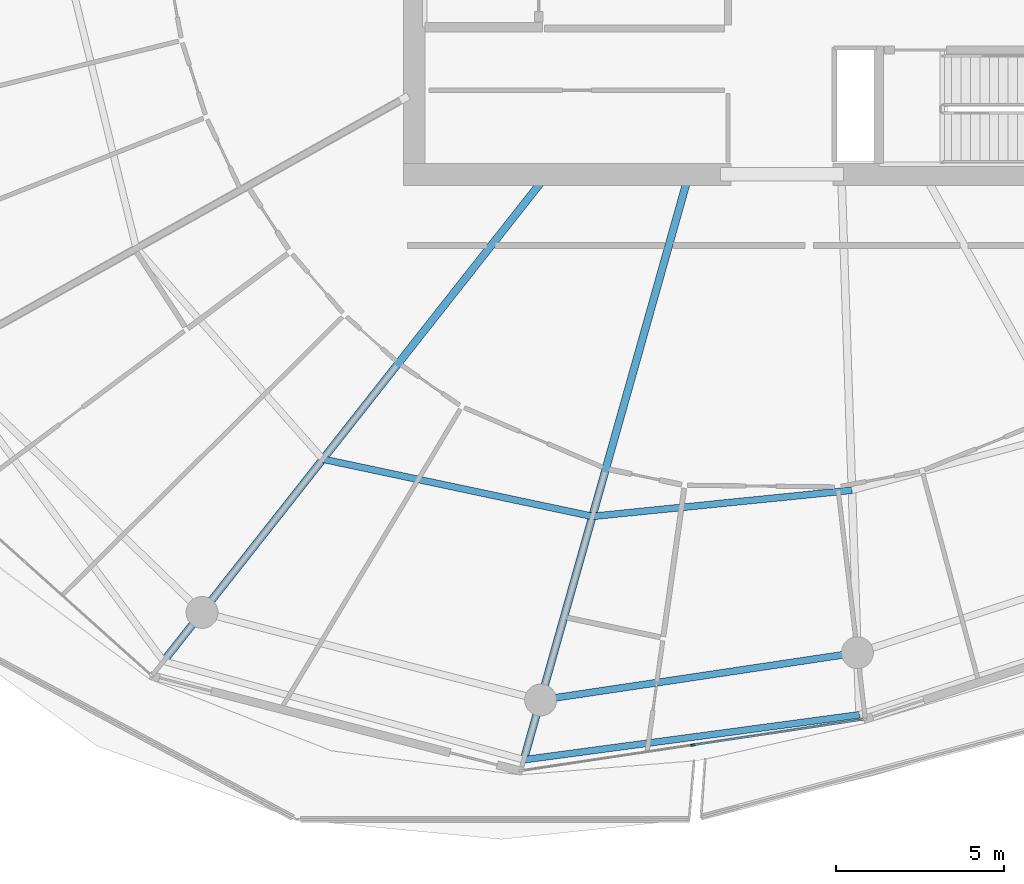
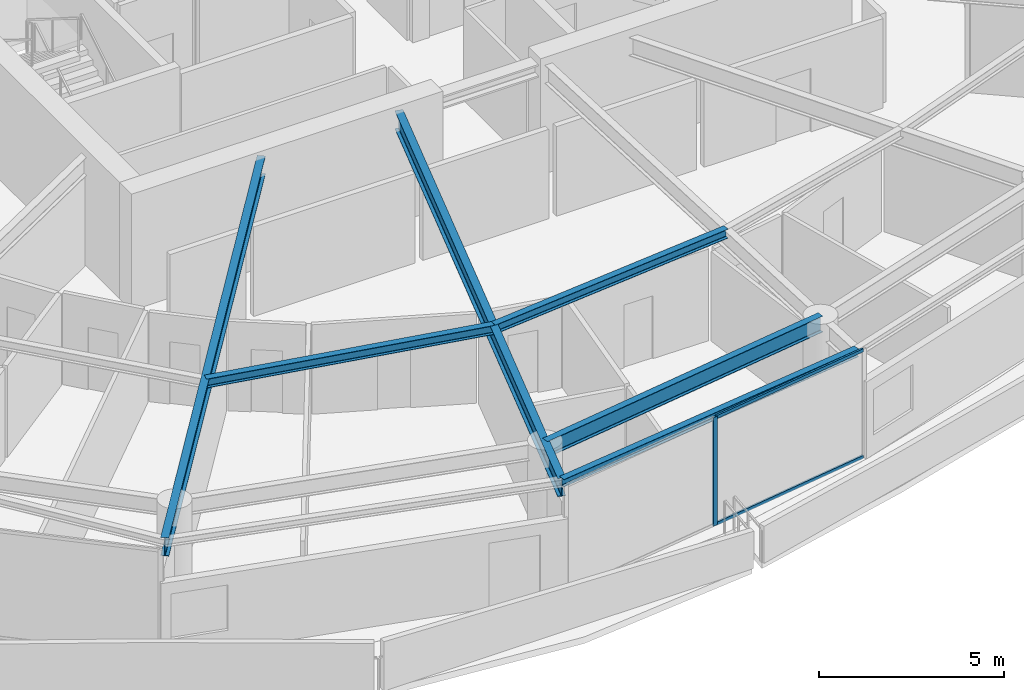
# One storey, part 7 of 31: 6 beams, 3 members, 1 element without a shape of its own.
"""IFC4 building model written with IfcOpenShell, lengths in metres."""

from ifc_helpers import new_model, si_unit, direction, frame, origin, origin_2d, place, context, subcontext, project, spatial, rectangle, i_section, extrude, material, layer, layer_set, material_profile, profile_set, type_object, element, aggregate, save


model = new_model("IFC4")

# Units and contexts
model_context = context("Model", 3, precision=1e-05, world=origin(), true_north=direction((0.0, 1.0)))
body_context = subcontext(model_context, "Body", "Model", "MODEL_VIEW")
ifc_project = project(units=[si_unit("LENGTHUNIT", "METRE"), si_unit("AREAUNIT", "SQUARE_METRE"), si_unit("VOLUMEUNIT", "CUBIC_METRE"), si_unit("PLANEANGLEUNIT", "RADIAN"), si_unit("MASSUNIT", "GRAM", prefix="KILO")], contexts=[model_context])

# Site, building, storey
site_placement = place(None, origin())
site = spatial("IfcSite", under=ifc_project, at=site_placement, CompositionType="ELEMENT")
building_placement = place(site_placement, origin())
building = spatial("IfcBuilding", under=site, at=building_placement, Name="Kazma Halo Residences", CompositionType="ELEMENT")
storey_placement = place(building_placement, frame((0.0, 0.0, 248.25)))
storey = spatial("IfcBuildingStorey", under=building, at=storey_placement, Name="L62", CompositionType="ELEMENT", Elevation=248.25)

# Beams
ifc_material_1 = material(Name="Steel S355", Category="steel")
ifc_material_profile_1 = material_profile(ifc_material_1, i_section(OverallWidth=0.201904296875, OverallDepth=0.2470703125, WebThickness=0.00732421875, FlangeThickness=0.010986328125, FilletRadius=0.011962890625, at=origin_2d()), Name="W250x49.1")
ifc_profile_set_1 = profile_set([ifc_material_profile_1], Name="Steel S355")
beam_type_1 = type_object("IfcBeamType", Name="BM-BAL-CANT", PredefinedType="BEAM", material=ifc_profile_set_1)
beam_1_placement = place(storey_placement, frame((40.73486328125, 16.239990234375, 3.466552734375), z_axis=(0.991137416918, 0.132840584106, 0.0), x_axis=(-0.132840584106, 0.991137416918, 0.0)))
element("IfcBeam", 1, at=beam_1_placement, inside=storey, type_object=beam_type_1, Name="L62 wave-balcony tie beam 11", PredefinedType="BEAM", context=body_context, shape_type="SweptSolid", body=[
    extrude(i_section(OverallWidth=0.201904296875, OverallDepth=0.2470703125, WebThickness=0.00732421875, FlangeThickness=0.010986328125, FilletRadius=0.011962890625, at=origin_2d()), origin(), (0.0, 0.0, 1.0), 10.087890625),
])
ifc_material_profile_2 = material_profile(ifc_material_1, i_section(OverallWidth=0.22802734375, OverallDepth=0.60791015625, WebThickness=0.01123046875, FlangeThickness=0.017333984375, FilletRadius=0.01806640625, at=origin_2d()), Name="W610x113")
ifc_profile_set_2 = profile_set([ifc_material_profile_2], Name="Steel S355")
beam_type_2 = type_object("IfcBeamType", Name="BM-RAD-W610", PredefinedType="BEAM", material=ifc_profile_set_2)
beam_2_placement = place(storey_placement, frame((41.299072265625, 33.5, 3.285888671875), z_axis=(-0.6190864347, -0.785322854863, 0.0), x_axis=(0.785322854863, -0.6190864347, 0.0)))
element("IfcBeam", 2, at=beam_2_placement, inside=storey, type_object=beam_type_2, Name="L62 radial floor beam 10", PredefinedType="BEAM", context=body_context, shape_type="SweptSolid", body=[
    extrude(i_section(OverallWidth=0.22802734375, OverallDepth=0.60791015625, WebThickness=0.01123046875, FlangeThickness=0.017333984375, FilletRadius=0.01806640625, at=origin_2d()), origin(), (0.0, 0.0, 1.0), 18.239013671875),
])
beam_3_placement = place(storey_placement, frame((45.602783203125, 33.5, 3.285888671875), z_axis=(-0.271445290974, -0.962453871107, 0.0), x_axis=(0.962453871107, -0.271445290974, 0.0)))
element("IfcBeam", 3, at=beam_3_placement, inside=storey, type_object=beam_type_2, Name="L62 radial floor beam 11", PredefinedType="BEAM", context=body_context, shape_type="SweptSolid", body=[
    extrude(i_section(OverallWidth=0.22802734375, OverallDepth=0.60791015625, WebThickness=0.01123046875, FlangeThickness=0.017333984375, FilletRadius=0.01806640625, at=origin_2d()), origin(), (0.0, 0.0, 1.0), 17.933349609375),
])
ifc_material_profile_3 = material_profile(ifc_material_1, i_section(OverallWidth=0.202880859375, OverallDepth=0.302978515625, WebThickness=0.007568359375, FlangeThickness=0.01318359375, FilletRadius=0.013916015625, at=origin_2d()), Name="W310x60")
ifc_profile_set_3 = profile_set([ifc_material_profile_3], Name="Steel S355")
beam_type_3 = type_object("IfcBeamType", Name="BM-SEC-W310A", PredefinedType="JOIST", material=ifc_profile_set_3)
beam_4_placement = place(storey_placement, frame((34.75, 25.1923828125, 3.4384765625), z_axis=(0.978235588777, -0.207497308055, 0.0), x_axis=(0.207497308055, 0.978235588777, 0.0)))
element("IfcBeam", 4, at=beam_4_placement, inside=storey, type_object=beam_type_3, Name="L62 circumferential floor joist 10", PredefinedType="JOIST", context=body_context, shape_type="SweptSolid", body=[
    extrude(i_section(OverallWidth=0.202880859375, OverallDepth=0.302978515625, WebThickness=0.007568359375, FlangeThickness=0.01318359375, FilletRadius=0.013916015625, at=origin_2d()), origin(), (0.0, 0.0, 1.0), 8.2080078125),
])
beam_5_placement = place(storey_placement, frame((42.779296875, 23.4892578125, 3.4384765625), z_axis=(0.994981653225, 0.10005753218, 0.0), x_axis=(-0.10005753218, 0.994981653225, 0.0)))
element("IfcBeam", 5, at=beam_5_placement, inside=storey, type_object=beam_type_3, Name="L62 circumferential floor joist 11", PredefinedType="JOIST", context=body_context, shape_type="SweptSolid", body=[
    extrude(i_section(OverallWidth=0.202880859375, OverallDepth=0.302978515625, WebThickness=0.007568359375, FlangeThickness=0.01318359375, FilletRadius=0.013916015625, at=origin_2d()), origin(), (0.0, 0.0, 1.0), 7.76904296875),
])
ifc_material_profile_4 = material_profile(ifc_material_1, i_section(OverallWidth=0.208984375, OverallDepth=0.532958984375, WebThickness=0.01025390625, FlangeThickness=0.015625, FilletRadius=0.01611328125, at=origin_2d()), Name="W530x92")
ifc_profile_set_4 = profile_set([ifc_material_profile_4], Name="Steel S355")
beam_type_4 = type_object("IfcBeamType", Name="BM-SPN-W530", PredefinedType="BEAM", material=ifc_profile_set_4)
beam_6_placement = place(storey_placement, frame((41.237060546875, 18.0205078125, 3.323486328125), z_axis=(0.989035441627, 0.147678350495, 0.0), x_axis=(-0.147678350495, 0.989035441627, 0.0)))
element("IfcBeam", 6, at=beam_6_placement, inside=storey, type_object=beam_type_4, Name="L62 perimeter ring beam 11", PredefinedType="BEAM", context=body_context, shape_type="SweptSolid", body=[
    extrude(i_section(OverallWidth=0.208984375, OverallDepth=0.532958984375, WebThickness=0.01025390625, FlangeThickness=0.015625, FilletRadius=0.01611328125, at=origin_2d()), origin(), (0.0, 0.0, 1.0), 9.538818359375),
])

# Curtain wall, members
ifc_material_2 = material(Name="Aluminium AW-6063 T6 and Triple-Silver Low-E Glass", Category="aluminium")
ifc_layer = layer(ifc_material_2, 0.139892578125)
ifc_layer_set = layer_set([ifc_layer], Name="Aluminium AW-6063 T6 and Triple-Silver Low-E Glass")
curtain_wall_type = type_object("IfcCurtainWallType", Name="CW-SYS-5", PredefinedType="NOTDEFINED", material=ifc_layer_set)
curtain_wall_placement = place(storey_placement, origin())
curtain_wall = element("IfcCurtainWall", 7, at=curtain_wall_placement, inside=storey, type_object=curtain_wall_type, Name="L62 unitised curtain wall B11", PredefinedType="NOTDEFINED")
ifc_material_3 = material(Name="Aluminium AW-6063 T6", Category="aluminium")
ifc_material_profile_5 = material_profile(ifc_material_3, rectangle(XDim=0.06005859375, YDim=0.139892578125, at=origin_2d()), Name="CWM-60x140")
ifc_profile_set_5 = profile_set([ifc_material_profile_5], Name="Aluminium AW-6063 T6")
member_type_1 = type_object("IfcMemberType", Name="CW-SYS-5-MUL", PredefinedType="MULLION", material=ifc_profile_set_5)
member_1_placement = place(storey_placement, frame((45.7734375, 16.679931640625, 0.0), z_axis=(0.0, 0.0, 1.0), x_axis=(-0.148697080374, 0.988882792998, 0.0)))
member_1 = element("IfcMember", 8, at=member_1_placement, type_object=member_type_1, Name="CWS-5 mullion 2", PredefinedType="MULLION", context=body_context, shape_type="SweptSolid", body=[
    extrude(rectangle(XDim=0.06005859375, YDim=0.139892578125, at=origin_2d()), origin(), (0.0, 0.0, 1.0), 3.590087890625),
])
ifc_material_profile_6 = material_profile(ifc_material_3, rectangle(XDim=0.06005859375, YDim=0.10498046875, at=origin_2d()), Name="CWT-60x105")
ifc_profile_set_6 = profile_set([ifc_material_profile_6], Name="Aluminium AW-6063 T6")
member_type_2 = type_object("IfcMemberType", Name="CW-SYS-5-TRN", PredefinedType="USERDEFINED", material=ifc_profile_set_6)
member_2_placement = place(storey_placement, frame((45.80322265625, 16.6845703125, 0.030029296875), z_axis=(0.988882913569, 0.148696278541, 0.0), x_axis=(-0.148696278541, 0.988882913569, 0.0)))
member_2 = element("IfcMember", 9, at=member_2_placement, type_object=member_type_2, Name="CWS-5 transom 2.1", ObjectType="TRANSOM", PredefinedType="USERDEFINED", context=body_context, shape_type="SweptSolid", body=[
    extrude(rectangle(XDim=0.06005859375, YDim=0.10498046875, at=origin_2d()), origin(), (0.0, 0.0, 1.0), 5.099609375),
])
member_3_placement = place(storey_placement, frame((45.80322265625, 16.6845703125, 3.56005859375), z_axis=(0.988882913569, 0.148696278541, 0.0), x_axis=(-0.148696278541, 0.988882913569, 0.0)))
member_3 = element("IfcMember", 10, at=member_3_placement, type_object=member_type_2, Name="CWS-5 transom 2.2", ObjectType="TRANSOM", PredefinedType="USERDEFINED", context=body_context, shape_type="SweptSolid", body=[
    extrude(rectangle(XDim=0.06005859375, YDim=0.10498046875, at=origin_2d()), origin(), (0.0, 0.0, 1.0), 5.099609375),
])
aggregate(curtain_wall, [member_1, member_2, member_3])

save(model, "model.ifc")
